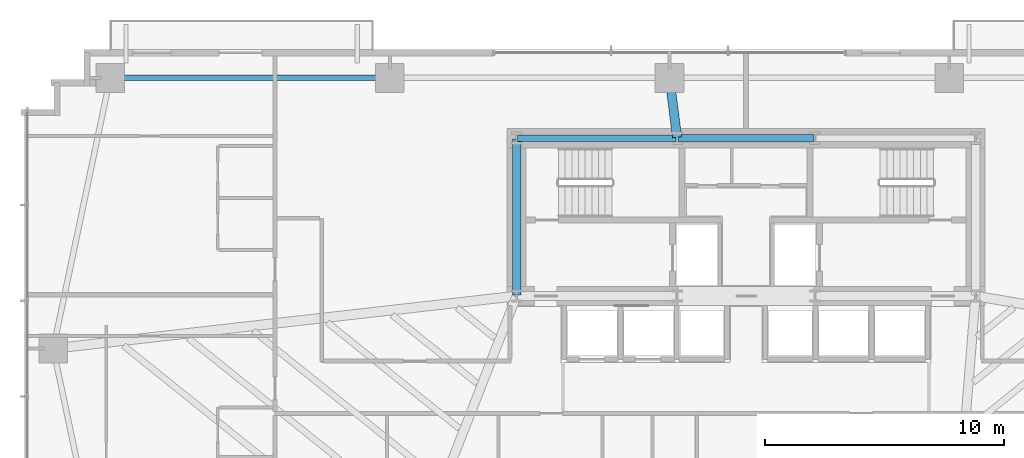
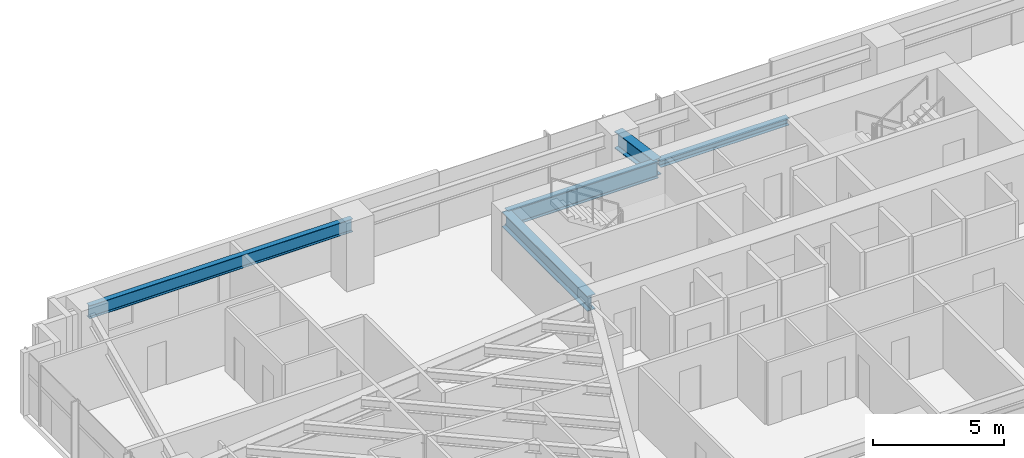
# One storey, part 9 of 25: 5 beams.
"""IFC4 building model written with IfcOpenShell, lengths in metres."""

from ifc_helpers import new_model, si_unit, direction, frame, origin, origin_2d, place, context, subcontext, project, spatial, i_section, extrude, source, transform, mapped, material, material_profile, profile_set, type_object, type_shapes, element, save


model = new_model("IFC4")

# Units and contexts
model_context = context("Model", 3, precision=1e-05, world=origin(), true_north=direction((0.0, 1.0)))
body_context = subcontext(model_context, "Body", "Model", "MODEL_VIEW")
ifc_project = project(units=[si_unit("LENGTHUNIT", "METRE"), si_unit("AREAUNIT", "SQUARE_METRE"), si_unit("VOLUMEUNIT", "CUBIC_METRE"), si_unit("PLANEANGLEUNIT", "RADIAN"), si_unit("MASSUNIT", "GRAM", prefix="KILO")], contexts=[model_context])

# Site, building, storey
site_placement = place(None, origin())
site = spatial("IfcSite", under=ifc_project, at=site_placement, CompositionType="ELEMENT")
building_placement = place(site_placement, origin())
building = spatial("IfcBuilding", under=site, at=building_placement, Name="Astriad Promenade Condominiums", CompositionType="ELEMENT")
storey_placement = place(building_placement, frame((0.0, 0.0, 32.60009765625)))
storey = spatial("IfcBuildingStorey", under=building, at=storey_placement, Name="L08", CompositionType="ELEMENT", Elevation=32.60009765625)

# Beams
ifc_material = material(Name="Steel ASTM A992 Grade 50", Category="steel")
ifc_material_profile_1 = material_profile(ifc_material, i_section(OverallWidth=0.267822265625, OverallDepth=0.76953125, WebThickness=0.015625, FlangeThickness=0.025390625, FilletRadius=0.021484375, at=origin_2d()), Name="W30X132")
ifc_profile_set_1 = profile_set([ifc_material_profile_1], Name="Steel ASTM A992 Grade 50")
beam_type_1 = type_object("IfcBeamType", Name="STEEL FLOOR GIRDER W30X132", PredefinedType="BEAM", material=ifc_profile_set_1)
shared_shape_1 = source(origin(), body_context, "Body", "SweptSolid", [
    extrude(i_section(OverallWidth=0.267822265625, OverallDepth=0.76953125, WebThickness=0.015625, FlangeThickness=0.025390625, FilletRadius=0.021484375, at=origin_2d()), origin(), (0.0, 0.0, 1.0), 6.64013671875),
])
type_shapes(beam_type_1, [shared_shape_1])
beam_1_placement = place(storey_placement, frame((26.43994140625, 24.0, 2.55517578125), z_axis=(1.0, 0.0, 0.0), x_axis=(0.0, 1.0, 0.0)))
element("IfcBeam", 1, at=beam_1_placement, inside=storey, type_object=beam_type_1, Name="Core Ring Beam CG-N1-L08", PredefinedType="BEAM", context=body_context, shape_type="MappedRepresentation", body=[
    mapped(shared_shape_1, transform((0.0, 0.0, 0.0), scale=1.0)),
])
ifc_material_profile_2 = material_profile(ifc_material, i_section(OverallWidth=0.3046875, OverallDepth=0.307861328125, WebThickness=0.010009765625, FlangeThickness=0.015380859375, FilletRadius=0.01513671875, at=origin_2d()), Name="W12X65")
ifc_profile_set_2 = profile_set([ifc_material_profile_2], Name="Steel ASTM A992 Grade 50")
beam_type_2 = type_object("IfcBeamType", Name="STEEL OPENING LINTEL W12X65", PredefinedType="LINTEL", material=ifc_profile_set_2)
shared_shape_2 = source(origin(), body_context, "Body", "SweptSolid", [
    extrude(i_section(OverallWidth=0.3046875, OverallDepth=0.307861328125, WebThickness=0.010009765625, FlangeThickness=0.015380859375, FilletRadius=0.01513671875, at=origin_2d()), origin(), (0.0, 0.0, 1.0), 5.68017578125),
])
type_shapes(beam_type_2, [shared_shape_2])
beam_2_placement = place(storey_placement, frame((33.159912109375, 24.0, 2.785888671875), z_axis=(1.0, 0.0, 0.0), x_axis=(0.0, 1.0, 0.0)))
element("IfcBeam", 2, at=beam_2_placement, inside=storey, type_object=beam_type_2, Name="Core Ring Beam CG-N2-L08", PredefinedType="LINTEL", context=body_context, shape_type="MappedRepresentation", body=[
    mapped(shared_shape_2, transform((0.0, 0.0, 0.0), scale=1.0)),
])
ifc_material_profile_3 = material_profile(ifc_material, i_section(OverallWidth=0.35791015625, OverallDepth=0.706298828125, WebThickness=0.018310546875, FlangeThickness=0.0302734375, FilletRadius=0.020263671875, at=origin_2d()), Name="W27X178")
ifc_profile_set_3 = profile_set([ifc_material_profile_3], Name="Steel ASTM A992 Grade 50")
beam_type_3 = type_object("IfcBeamType", Name="STEEL FLOOR GIRDER W27X178", PredefinedType="BEAM", material=ifc_profile_set_3)
shared_shape_3 = source(origin(), body_context, "Body", "SweptSolid", [
    extrude(i_section(OverallWidth=0.35791015625, OverallDepth=0.706298828125, WebThickness=0.018310546875, FlangeThickness=0.0302734375, FilletRadius=0.020263671875, at=origin_2d()), origin(), (0.0, 0.0, 1.0), 6.52001953125),
])
type_shapes(beam_type_3, [shared_shape_3])
beam_3_placement = place(storey_placement, frame((26.39990234375, 17.43994140625, 2.586669921875), z_axis=(0.0, 1.0, 0.0), x_axis=(-1.0, 0.0, 0.0)))
element("IfcBeam", 3, at=beam_3_placement, inside=storey, type_object=beam_type_3, Name="Core Ring Beam CG-W1-L08", PredefinedType="BEAM", context=body_context, shape_type="MappedRepresentation", body=[
    mapped(shared_shape_3, transform((0.0, 0.0, 0.0), scale=1.0)),
])
ifc_material_profile_4 = material_profile(ifc_material, i_section(OverallWidth=0.22900390625, OverallDepth=0.612060546875, WebThickness=0.011962890625, FlangeThickness=0.01953125, FilletRadius=0.017822265625, at=origin_2d()), Name="W24X84")
ifc_profile_set_4 = profile_set([ifc_material_profile_4], Name="Steel ASTM A992 Grade 50")
beam_type_4 = type_object("IfcBeamType", Name="STEEL SPANDREL BEAM W24X84", PredefinedType="SPANDREL", material=ifc_profile_set_4)
shared_shape_4 = source(origin(), body_context, "Body", "SweptSolid", [
    extrude(i_section(OverallWidth=0.22900390625, OverallDepth=0.612060546875, WebThickness=0.011962890625, FlangeThickness=0.01953125, FilletRadius=0.017822265625, at=origin_2d()), origin(), (0.0, 0.0, 1.0), 11.6201171875),
])
type_shapes(beam_type_4, [shared_shape_4])
beam_4_placement = place(storey_placement, frame((21.06005859375, 26.52001953125, 2.6337890625), z_axis=(-1.0, 0.0, 0.0), x_axis=(0.0, -1.0, 0.0)))
element("IfcBeam", 4, at=beam_4_placement, inside=storey, type_object=beam_type_4, Name="Perimeter Spandrel Beam SP-N1-L08", PredefinedType="SPANDREL", context=body_context, shape_type="MappedRepresentation", body=[
    mapped(shared_shape_4, transform((0.0, 0.0, 0.0), scale=1.0)),
])
ifc_material_profile_5 = material_profile(ifc_material, i_section(OverallWidth=0.3837890625, OverallDepth=0.785888671875, WebThickness=0.019775390625, FlangeThickness=0.033447265625, FilletRadius=0.021484375, at=origin_2d()), Name="W30X211")
ifc_profile_set_5 = profile_set([ifc_material_profile_5], Name="Steel ASTM A992 Grade 50")
beam_type_5 = type_object("IfcBeamType", Name="STEEL FLOOR GIRDER W30X211", PredefinedType="BEAM", material=ifc_profile_set_5)
shared_shape_5 = source(origin(), body_context, "Body", "SweptSolid", [
    extrude(i_section(OverallWidth=0.3837890625, OverallDepth=0.785888671875, WebThickness=0.019775390625, FlangeThickness=0.033447265625, FilletRadius=0.021484375, at=origin_2d()), origin(), (0.0, 0.0, 1.0), 2.4599609375),
])
type_shapes(beam_type_5, [shared_shape_5])
beam_5_placement = place(storey_placement, frame((32.804931640625, 26.480224609375, 2.547119140625), z_axis=(0.126037648346, -0.992025458947, 0.0), x_axis=(0.992025458947, 0.126037648346, 0.0)))
element("IfcBeam", 5, at=beam_5_placement, inside=storey, type_object=beam_type_5, Name="Primary Floor Girder PG-NC-L08", PredefinedType="BEAM", context=body_context, shape_type="MappedRepresentation", body=[
    mapped(shared_shape_5, transform((0.0, 0.0, 0.0), scale=1.0)),
])

save(model, "model.ifc")
